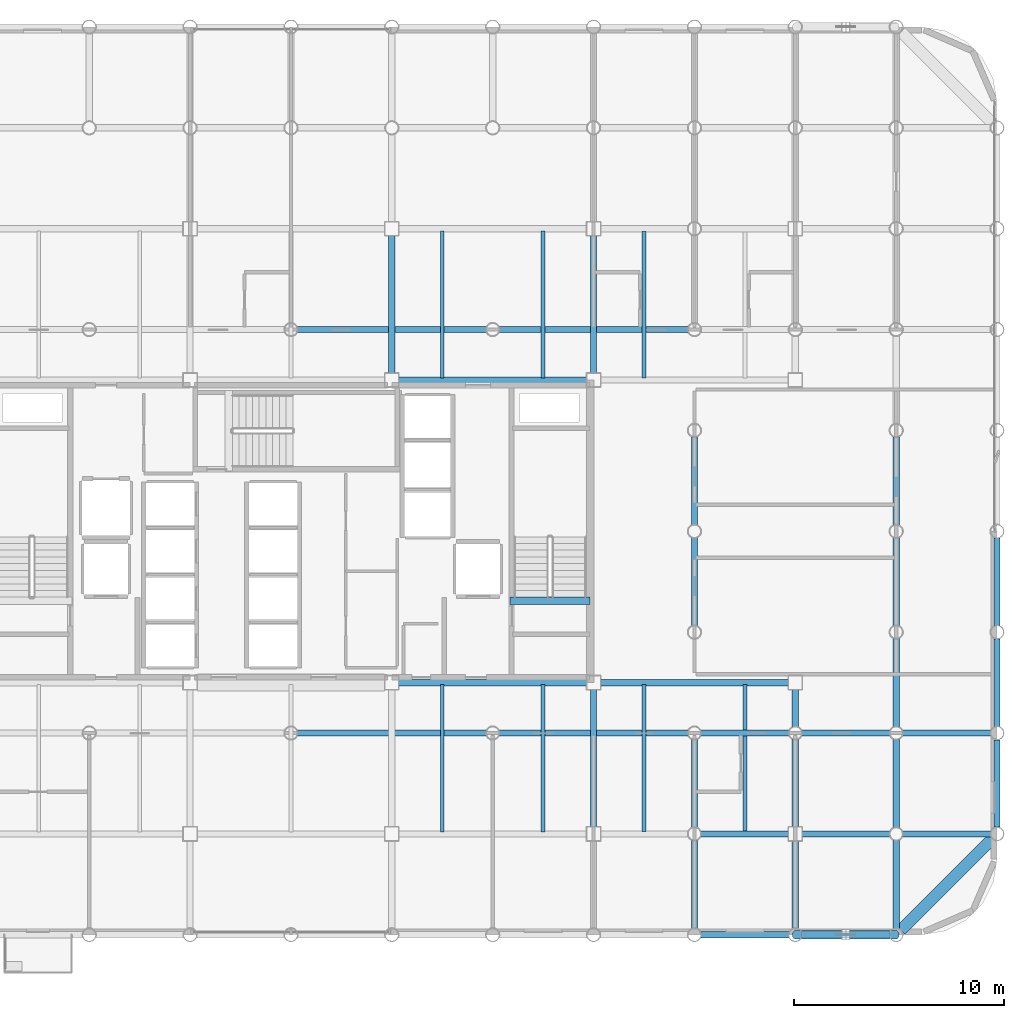
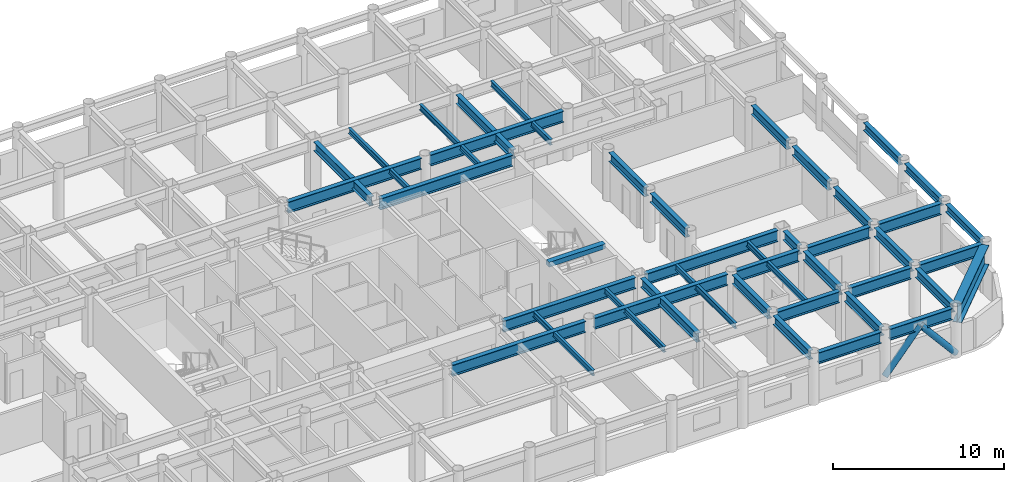
# One storey, part 7 of 22: 42 beams, 2 members.
"""IFC4 building model written with IfcOpenShell, lengths in metres."""

from ifc_helpers import new_model, si_unit, direction, frame, origin, origin_2d, place, context, subcontext, project, spatial, rectangle, hollow_circle, i_section, extrude, material, material_profile, profile_set, type_object, element, save


model = new_model("IFC4")

# Units and contexts
model_context = context("Model", 3, precision=1e-05, world=origin(), true_north=direction((0.0, 1.0)))
body_context = subcontext(model_context, "Body", "Model", "MODEL_VIEW")
ifc_project = project(units=[si_unit("LENGTHUNIT", "METRE"), si_unit("AREAUNIT", "SQUARE_METRE"), si_unit("VOLUMEUNIT", "CUBIC_METRE"), si_unit("PLANEANGLEUNIT", "RADIAN"), si_unit("MASSUNIT", "GRAM", prefix="KILO")], contexts=[model_context])

# Site, building, storey
site_placement = place(None, origin())
site = spatial("IfcSite", under=ifc_project, at=site_placement, CompositionType="ELEMENT")
building_placement = place(site_placement, origin())
building = spatial("IfcBuilding", under=site, at=building_placement, Name="Kallvorn Hotel Tower", CompositionType="ELEMENT")
storey_placement = place(building_placement, frame((0.0, 0.0, 102.60009765625)))
storey = spatial("IfcBuildingStorey", under=building, at=storey_placement, Name="L24", CompositionType="ELEMENT", Elevation=102.60009765625)

# Beams
ifc_material_1 = material(Name="Structural steel S355JR", Category="steel")
ifc_material_profile_1 = material_profile(ifc_material_1, i_section(OverallWidth=0.300048828125, OverallDepth=0.550048828125, WebThickness=0.014892578125, FlangeThickness=0.029052734375, at=origin_2d()), Name="HE 550 B")
ifc_profile_set_1 = profile_set([ifc_material_profile_1], Name="Structural steel S355JR")
beam_type_1 = type_object("IfcBeamType", Name="BM_HE550B", PredefinedType="SPANDREL", material=ifc_profile_set_1)
beam_1_placement = place(storey_placement, frame((33.60009765625, -14.080078125, 3.244873046875), z_axis=(0.0, 1.0, 0.0), x_axis=(-1.0, 0.0, 0.0)))
element("IfcBeam", 1, at=beam_1_placement, inside=storey, type_object=beam_type_1, Name="L25 Perimeter Spandrel 182", PredefinedType="SPANDREL", context=body_context, shape_type="SweptSolid", body=[
    extrude(i_section(OverallWidth=0.300048828125, OverallDepth=0.550048828125, WebThickness=0.014892578125, FlangeThickness=0.029052734375, at=origin_2d()), origin(), (0.0, 0.0, 1.0), 4.16015625),
])
for number, where, z_axis, x_axis, name in (
    (2, (33.60009765625, -9.280029296875, 3.244873046875), (0.0, 1.0, 0.0), (-1.0, 0.0, 0.0), "L25 Perimeter Spandrel 183"),
    (3, (33.60009765625, -4.47998046875, 3.244873046875), (0.0, 1.0, 0.0), (-1.0, 0.0, 0.0), "L25 Perimeter Spandrel 184"),
):
    element("IfcBeam", number, at=place(storey_placement, frame(where, z_axis=z_axis, x_axis=x_axis)), inside=storey, type_object=beam_type_1, Name=name, PredefinedType="SPANDREL", context=body_context, shape_type="SweptSolid", body=[
        extrude(i_section(OverallWidth=0.300048828125, OverallDepth=0.550048828125, WebThickness=0.014892578125, FlangeThickness=0.029052734375, at=origin_2d()), origin(), (0.0, 0.0, 1.0), 4.159912109375),
    ])
ifc_material_2 = material(Name="Structural steel S355JR", Category="steel")
ifc_material_profile_2 = material_profile(ifc_material_2, i_section(OverallWidth=0.300048828125, OverallDepth=0.64990234375, WebThickness=0.01611328125, FlangeThickness=0.031005859375, at=origin_2d()), Name="HE 650 B")
ifc_profile_set_2 = profile_set([ifc_material_profile_2], Name="Structural steel S355JR")
beam_type_2 = type_object("IfcBeamType", Name="BM_HE650B", PredefinedType="BEAM", material=ifc_profile_set_2)
for number, where, z_axis, x_axis, name in (
    (4, (4.800048828125, 7.52490234375, 3.19482421875), (0.0, 1.0, 0.0), (-1.0, 0.0, 0.0), "L25 Primary Y-Girder 115"),
    (5, (14.39990234375, -14.074951171875, 3.19482421875), (0.0, 1.0, 0.0), (-1.0, 0.0, 0.0), "L25 Primary Y-Girder 122"),
    (6, (14.39990234375, 7.52490234375, 3.19482421875), (0.0, 1.0, 0.0), (-1.0, 0.0, 0.0), "L25 Primary Y-Girder 123"),
):
    element("IfcBeam", number, at=place(storey_placement, frame(where, z_axis=z_axis, x_axis=x_axis)), inside=storey, type_object=beam_type_2, Name=name, PredefinedType="BEAM", context=body_context, shape_type="SweptSolid", body=[
        extrude(i_section(OverallWidth=0.300048828125, OverallDepth=0.64990234375, WebThickness=0.01611328125, FlangeThickness=0.031005859375, at=origin_2d()), origin(), (0.0, 0.0, 1.0), 6.550048828125),
    ])
for number, where, z_axis, x_axis, name in (
    (7, (19.199951171875, -18.89501953125, 3.19482421875), (0.0, 1.0, 0.0), (-1.0, 0.0, 0.0), "L25 Primary Y-Girder 126"),
    (8, (19.199951171875, -14.094970703125, 3.19482421875), (0.0, 1.0, 0.0), (-1.0, 0.0, 0.0), "L25 Primary Y-Girder 127"),
):
    element("IfcBeam", number, at=place(storey_placement, frame(where, z_axis=z_axis, x_axis=x_axis)), inside=storey, type_object=beam_type_2, Name=name, PredefinedType="BEAM", context=body_context, shape_type="SweptSolid", body=[
        extrude(i_section(OverallWidth=0.300048828125, OverallDepth=0.64990234375, WebThickness=0.01611328125, FlangeThickness=0.031005859375, at=origin_2d()), origin(), (0.0, 0.0, 1.0), 4.18994140625),
    ])
for number, where, z_axis, x_axis, name in (
    (9, (19.199951171875, -4.4951171875, 3.19482421875), (0.0, 1.0, 0.0), (-1.0, 0.0, 0.0), "L25 Primary Y-Girder 129"),
    (10, (19.199951171875, 0.304931640625, 3.19482421875), (0.0, 1.0, 0.0), (-1.0, 0.0, 0.0), "L25 Primary Y-Girder 130"),
):
    element("IfcBeam", number, at=place(storey_placement, frame(where, z_axis=z_axis, x_axis=x_axis)), inside=storey, type_object=beam_type_2, Name=name, PredefinedType="BEAM", context=body_context, shape_type="SweptSolid", body=[
        extrude(i_section(OverallWidth=0.300048828125, OverallDepth=0.64990234375, WebThickness=0.01611328125, FlangeThickness=0.031005859375, at=origin_2d()), origin(), (0.0, 0.0, 1.0), 4.190185546875),
    ])
for number, where, z_axis, x_axis, name in (
    (11, (24.0, -18.89501953125, 3.19482421875), (0.0, 1.0, 0.0), (-1.0, 0.0, 0.0), "L25 Primary Y-Girder 135"),
    (12, (24.0, -14.074951171875, 3.19482421875), (0.0, 1.0, 0.0), (-1.0, 0.0, 0.0), "L25 Primary Y-Girder 136"),
):
    element("IfcBeam", number, at=place(storey_placement, frame(where, z_axis=z_axis, x_axis=x_axis)), inside=storey, type_object=beam_type_2, Name=name, PredefinedType="BEAM", context=body_context, shape_type="SweptSolid", body=[
        extrude(i_section(OverallWidth=0.300048828125, OverallDepth=0.64990234375, WebThickness=0.01611328125, FlangeThickness=0.031005859375, at=origin_2d()), origin(), (0.0, 0.0, 1.0), 4.169921875),
    ])
beam_2_placement = place(storey_placement, frame((24.0, -9.294921875, 3.19482421875), z_axis=(0.0, 1.0, 0.0), x_axis=(-1.0, 0.0, 0.0)))
element("IfcBeam", 13, at=beam_2_placement, inside=storey, type_object=beam_type_2, Name="L25 Primary Y-Girder 137", PredefinedType="BEAM", context=body_context, shape_type="SweptSolid", body=[
    extrude(i_section(OverallWidth=0.300048828125, OverallDepth=0.64990234375, WebThickness=0.01611328125, FlangeThickness=0.031005859375, at=origin_2d()), origin(), (0.0, 0.0, 1.0), 1.77001953125),
])
for number, where, z_axis, x_axis, name in (
    (14, (28.800048828125, -18.89501953125, 3.19482421875), (0.0, 1.0, 0.0), (-1.0, 0.0, 0.0), "L25 Primary Y-Girder 142"),
    (15, (28.800048828125, -14.094970703125, 3.19482421875), (0.0, 1.0, 0.0), (-1.0, 0.0, 0.0), "L25 Primary Y-Girder 143"),
    (16, (28.800048828125, -9.294921875, 3.19482421875), (0.0, 1.0, 0.0), (-1.0, 0.0, 0.0), "L25 Primary Y-Girder 144"),
):
    element("IfcBeam", number, at=place(storey_placement, frame(where, z_axis=z_axis, x_axis=x_axis)), inside=storey, type_object=beam_type_2, Name=name, PredefinedType="BEAM", context=body_context, shape_type="SweptSolid", body=[
        extrude(i_section(OverallWidth=0.300048828125, OverallDepth=0.64990234375, WebThickness=0.01611328125, FlangeThickness=0.031005859375, at=origin_2d()), origin(), (0.0, 0.0, 1.0), 4.18994140625),
    ])
for number, where, z_axis, x_axis, name in (
    (17, (28.800048828125, -4.4951171875, 3.19482421875), (0.0, 1.0, 0.0), (-1.0, 0.0, 0.0), "L25 Primary Y-Girder 145"),
    (18, (28.800048828125, 0.304931640625, 3.19482421875), (0.0, 1.0, 0.0), (-1.0, 0.0, 0.0), "L25 Primary Y-Girder 146"),
):
    element("IfcBeam", number, at=place(storey_placement, frame(where, z_axis=z_axis, x_axis=x_axis)), inside=storey, type_object=beam_type_2, Name=name, PredefinedType="BEAM", context=body_context, shape_type="SweptSolid", body=[
        extrude(i_section(OverallWidth=0.300048828125, OverallDepth=0.64990234375, WebThickness=0.01611328125, FlangeThickness=0.031005859375, at=origin_2d()), origin(), (0.0, 0.0, 1.0), 4.190185546875),
    ])
ifc_material_3 = material(Name="Structural steel S355JR", Category="steel")
ifc_material_profile_3 = material_profile(ifc_material_3, i_section(OverallWidth=0.300048828125, OverallDepth=0.800048828125, WebThickness=0.017578125, FlangeThickness=0.032958984375, at=origin_2d()), Name="HE 800 B")
ifc_profile_set_3 = profile_set([ifc_material_profile_3], Name="Structural steel S355JR")
beam_type_3 = type_object("IfcBeamType", Name="BM_HE800B", PredefinedType="BEAM", material=ifc_profile_set_3)
for number, where, z_axis, x_axis, name in (
    (19, (19.5048828125, -19.199951171875, 3.119873046875), (1.0, 0.0, 0.0), (0.0, 1.0, 0.0), "L25 Primary X-Girder 11"),
    (20, (24.304931640625, -19.199951171875, 3.119873046875), (1.0, 0.0, 0.0), (0.0, 1.0, 0.0), "L25 Primary X-Girder 12"),
):
    element("IfcBeam", number, at=place(storey_placement, frame(where, z_axis=z_axis, x_axis=x_axis)), inside=storey, type_object=beam_type_3, Name=name, PredefinedType="BEAM", context=body_context, shape_type="SweptSolid", body=[
        extrude(i_section(OverallWidth=0.300048828125, OverallDepth=0.800048828125, WebThickness=0.017578125, FlangeThickness=0.032958984375, at=origin_2d()), origin(), (0.0, 0.0, 1.0), 4.190185546875),
    ])
for number, where, z_axis, x_axis, name in (
    (21, (19.5048828125, -14.39990234375, 3.119873046875), (1.0, 0.0, 0.0), (0.0, 1.0, 0.0), "L25 Primary X-Girder 20"),
    (22, (24.324951171875, -14.39990234375, 3.119873046875), (1.0, 0.0, 0.0), (0.0, 1.0, 0.0), "L25 Primary X-Girder 21"),
):
    element("IfcBeam", number, at=place(storey_placement, frame(where, z_axis=z_axis, x_axis=x_axis)), inside=storey, type_object=beam_type_3, Name=name, PredefinedType="BEAM", context=body_context, shape_type="SweptSolid", body=[
        extrude(i_section(OverallWidth=0.300048828125, OverallDepth=0.800048828125, WebThickness=0.017578125, FlangeThickness=0.032958984375, at=origin_2d()), origin(), (0.0, 0.0, 1.0), 4.170166015625),
    ])
beam_3_placement = place(storey_placement, frame((29.10498046875, -14.39990234375, 3.119873046875), z_axis=(1.0, 0.0, 0.0), x_axis=(0.0, 1.0, 0.0)))
element("IfcBeam", 23, at=beam_3_placement, inside=storey, type_object=beam_type_3, Name="L25 Primary X-Girder 22", PredefinedType="BEAM", context=body_context, shape_type="SweptSolid", body=[
    extrude(i_section(OverallWidth=0.300048828125, OverallDepth=0.800048828125, WebThickness=0.017578125, FlangeThickness=0.032958984375, at=origin_2d()), origin(), (0.0, 0.0, 1.0), 4.18994140625),
])
for number, where, z_axis, x_axis, name in (
    (24, (0.304931640625, -9.60009765625, 3.119873046875), (1.0, 0.0, 0.0), (0.0, 1.0, 0.0), "L25 Primary X-Girder 27"),
    (25, (9.905029296875, -9.60009765625, 3.119873046875), (1.0, 0.0, 0.0), (0.0, 1.0, 0.0), "L25 Primary X-Girder 28"),
):
    element("IfcBeam", number, at=place(storey_placement, frame(where, z_axis=z_axis, x_axis=x_axis)), inside=storey, type_object=beam_type_3, Name=name, PredefinedType="BEAM", context=body_context, shape_type="SweptSolid", body=[
        extrude(i_section(OverallWidth=0.300048828125, OverallDepth=0.800048828125, WebThickness=0.017578125, FlangeThickness=0.032958984375, at=origin_2d()), origin(), (0.0, 0.0, 1.0), 8.989990234375),
    ])
for number, where, z_axis, x_axis, name in (
    (26, (19.5048828125, -9.60009765625, 3.119873046875), (1.0, 0.0, 0.0), (0.0, 1.0, 0.0), "L25 Primary X-Girder 29"),
    (27, (24.304931640625, -9.60009765625, 3.119873046875), (1.0, 0.0, 0.0), (0.0, 1.0, 0.0), "L25 Primary X-Girder 30"),
):
    element("IfcBeam", number, at=place(storey_placement, frame(where, z_axis=z_axis, x_axis=x_axis)), inside=storey, type_object=beam_type_3, Name=name, PredefinedType="BEAM", context=body_context, shape_type="SweptSolid", body=[
        extrude(i_section(OverallWidth=0.300048828125, OverallDepth=0.800048828125, WebThickness=0.017578125, FlangeThickness=0.032958984375, at=origin_2d()), origin(), (0.0, 0.0, 1.0), 4.190185546875),
    ])
beam_4_placement = place(storey_placement, frame((29.10498046875, -9.60009765625, 3.119873046875), z_axis=(1.0, 0.0, 0.0), x_axis=(0.0, 1.0, 0.0)))
element("IfcBeam", 28, at=beam_4_placement, inside=storey, type_object=beam_type_3, Name="L25 Primary X-Girder 31", PredefinedType="BEAM", context=body_context, shape_type="SweptSolid", body=[
    extrude(i_section(OverallWidth=0.300048828125, OverallDepth=0.800048828125, WebThickness=0.017578125, FlangeThickness=0.032958984375, at=origin_2d()), origin(), (0.0, 0.0, 1.0), 4.18994140625),
])
for number, where, z_axis, x_axis, name in (
    (29, (5.125, -7.199951171875, 3.119873046875), (1.0, 0.0, 0.0), (0.0, 1.0, 0.0), "L25 Primary X-Girder 34"),
    (30, (14.72509765625, -7.199951171875, 3.119873046875), (1.0, 0.0, 0.0), (0.0, 1.0, 0.0), "L25 Primary X-Girder 35"),
    (31, (5.125, 7.199951171875, 3.119873046875), (1.0, 0.0, 0.0), (0.0, 1.0, 0.0), "L25 Primary X-Girder 39"),
):
    element("IfcBeam", number, at=place(storey_placement, frame(where, z_axis=z_axis, x_axis=x_axis)), inside=storey, type_object=beam_type_3, Name=name, PredefinedType="BEAM", context=body_context, shape_type="SweptSolid", body=[
        extrude(i_section(OverallWidth=0.300048828125, OverallDepth=0.800048828125, WebThickness=0.017578125, FlangeThickness=0.032958984375, at=origin_2d()), origin(), (0.0, 0.0, 1.0), 8.949951171875),
    ])
for number, where, z_axis, x_axis, name in (
    (32, (0.304931640625, 9.60009765625, 3.119873046875), (1.0, 0.0, 0.0), (0.0, 1.0, 0.0), "L25 Primary X-Girder 45"),
    (33, (9.905029296875, 9.60009765625, 3.119873046875), (1.0, 0.0, 0.0), (0.0, 1.0, 0.0), "L25 Primary X-Girder 46"),
):
    element("IfcBeam", number, at=place(storey_placement, frame(where, z_axis=z_axis, x_axis=x_axis)), inside=storey, type_object=beam_type_3, Name=name, PredefinedType="BEAM", context=body_context, shape_type="SweptSolid", body=[
        extrude(i_section(OverallWidth=0.300048828125, OverallDepth=0.800048828125, WebThickness=0.017578125, FlangeThickness=0.032958984375, at=origin_2d()), origin(), (0.0, 0.0, 1.0), 8.989990234375),
    ])
ifc_material_4 = material(Name="Structural steel S355JR", Category="steel")
ifc_material_profile_4 = material_profile(ifc_material_4, i_section(OverallWidth=0.179931640625, OverallDepth=0.39990234375, WebThickness=0.008544921875, FlangeThickness=0.013427734375, at=origin_2d()), Name="IPE 400")
ifc_profile_set_4 = profile_set([ifc_material_profile_4], Name="Structural steel S355JR")
beam_type_4 = type_object("IfcBeamType", Name="BM_IPE400", PredefinedType="JOIST", material=ifc_profile_set_4)
for number, where, z_axis, x_axis, name in (
    (34, (7.199951171875, -14.300048828125, 3.31982421875), (0.0, 1.0, 0.0), (-1.0, 0.0, 0.0), "L25 Secondary Composite Joist 202"),
    (35, (7.199951171875, 7.300048828125, 3.31982421875), (0.0, 1.0, 0.0), (-1.0, 0.0, 0.0), "L25 Secondary Composite Joist 203"),
    (36, (12.0, -14.300048828125, 3.31982421875), (0.0, 1.0, 0.0), (-1.0, 0.0, 0.0), "L25 Secondary Composite Joist 204"),
    (37, (12.0, 7.300048828125, 3.31982421875), (0.0, 1.0, 0.0), (-1.0, 0.0, 0.0), "L25 Secondary Composite Joist 205"),
    (38, (16.800048828125, -14.300048828125, 3.31982421875), (0.0, 1.0, 0.0), (-1.0, 0.0, 0.0), "L25 Secondary Composite Joist 206"),
    (39, (16.800048828125, 7.300048828125, 3.31982421875), (0.0, 1.0, 0.0), (-1.0, 0.0, 0.0), "L25 Secondary Composite Joist 207"),
    (40, (21.60009765625, -14.300048828125, 3.31982421875), (0.0, 1.0, 0.0), (-1.0, 0.0, 0.0), "L25 Secondary Composite Joist 208"),
):
    element("IfcBeam", number, at=place(storey_placement, frame(where, z_axis=z_axis, x_axis=x_axis)), inside=storey, type_object=beam_type_4, Name=name, PredefinedType="JOIST", context=body_context, shape_type="SweptSolid", body=[
        extrude(i_section(OverallWidth=0.179931640625, OverallDepth=0.39990234375, WebThickness=0.008544921875, FlangeThickness=0.013427734375, at=origin_2d()), origin(), (0.0, 0.0, 1.0), 7.0),
    ])
ifc_material_5 = material(Name="Structural steel S355JR", Category="steel")
ifc_material_profile_5 = material_profile(ifc_material_5, i_section(OverallWidth=0.550048828125, OverallDepth=1.39990234375, WebThickness=0.02490234375, FlangeThickness=0.044921875, at=origin_2d()), Name="PG 1400x550x25x45")
ifc_profile_set_5 = profile_set([ifc_material_profile_5], Name="Structural steel S355JR")
beam_type_5 = type_object("IfcBeamType", Name="BM_PG_1400", PredefinedType="BEAM", material=ifc_profile_set_5)
beam_5_placement = place(storey_placement, frame((33.373779296875, -14.626220703125, 2.81982421875), z_axis=(-0.707106781187, -0.707106781187, 0.0), x_axis=(0.707106781187, -0.707106781187, 0.0)))
element("IfcBeam", 41, at=beam_5_placement, inside=storey, type_object=beam_type_5, Name="L25 Rounded Corner Tie Beam 190", PredefinedType="BEAM", context=body_context, shape_type="SweptSolid", body=[
    extrude(i_section(OverallWidth=0.550048828125, OverallDepth=1.39990234375, WebThickness=0.02490234375, FlangeThickness=0.044921875, at=origin_2d()), origin(), (0.0, 0.0, 1.0), 6.148193359375),
])
ifc_material_6 = material(Name="Concrete C50/60", Category="concrete")
ifc_material_profile_6 = material_profile(ifc_material_6, rectangle(XDim=0.360107421875, YDim=0.340087890625, at=origin_2d()), Name="RC 360x340")
ifc_profile_set_6 = profile_set([ifc_material_profile_6], Name="Concrete C50/60")
beam_type_6 = type_object("IfcBeamType", Name="BM_RC_400x360", PredefinedType="BEAM", material=ifc_profile_set_6)
beam_6_placement = place(storey_placement, frame((14.239990234375, -3.31005859375, 3.349853515625), z_axis=(-1.0, 0.0, 0.0), x_axis=(0.0, -1.0, 0.0)))
element("IfcBeam", 42, at=beam_6_placement, inside=storey, type_object=beam_type_6, Name="L25 Stair ST2 Arrival Trimmer Beam", PredefinedType="BEAM", context=body_context, shape_type="SweptSolid", body=[
    extrude(rectangle(XDim=0.360107421875, YDim=0.340087890625, at=origin_2d()), origin(), (0.0, 0.0, 1.0), 3.820068359375),
])

# Members
ifc_material_7 = material(Name="Structural steel S355J2H", Category="steel")
ifc_material_profile_7 = material_profile(ifc_material_7, hollow_circle(Radius=0.203125, WallThickness=0.01611328125, at=origin_2d()), Name="CHS 406.4x16")
ifc_profile_set_7 = profile_set([ifc_material_profile_7], Name="Structural steel S355J2H")
member_type = type_object("IfcMemberType", Name="MBR_EXO_CHS406", PredefinedType="BRACE", material=ifc_profile_set_7)
for number, where, z_axis, x_axis, name in (
    (43, (24.012939453125, -19.199951171875, 0.1953125), (0.646833296797, 0.0, 0.762631422218), (0.0, 1.0, 0.0), "L24 Exoskeleton K-Brace S2A"),
    (44, (28.787109375, -19.199951171875, 0.1953125), (-0.646833296797, 0.0, 0.762631422218), (0.0, -1.0, 0.0), "L24 Exoskeleton K-Brace S2B"),
):
    element("IfcMember", number, at=place(storey_placement, frame(where, z_axis=z_axis, x_axis=x_axis)), inside=storey, type_object=member_type, Name=name, PredefinedType="BRACE", context=body_context, shape_type="SweptSolid", body=[
        extrude(hollow_circle(Radius=0.203125, WallThickness=0.01611328125, at=origin_2d()), origin(), (0.0, 0.0, 1.0), 3.670654296875),
    ])

save(model, "model.ifc")
